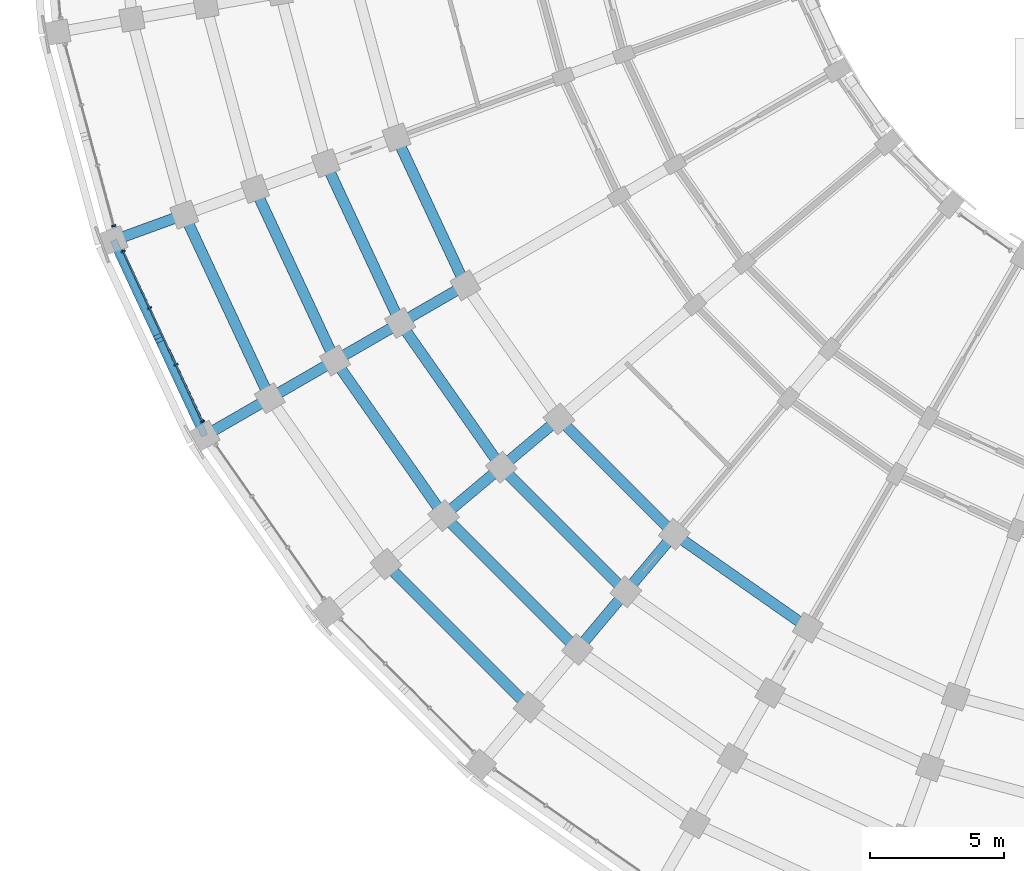
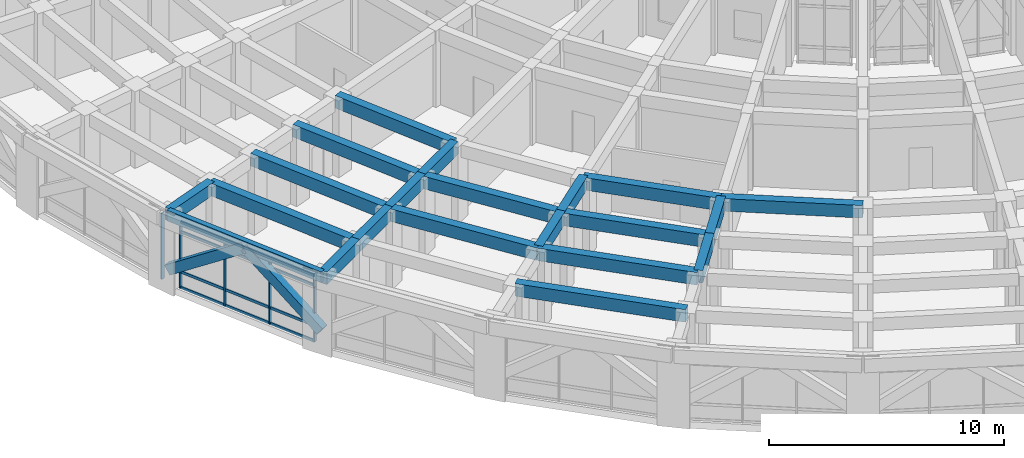
# One storey, part 6 of 97: 23 beams, 9 members, 2 elements without a shape of their own.
"""IFC4 building model written with IfcOpenShell, lengths in metres."""

from ifc_helpers import new_model, si_unit, direction, frame, origin, origin_2d, place, context, subcontext, project, spatial, rectangle, extrude, material, material_profile, profile_set, type_object, element, aggregate, save


model = new_model("IFC4")

# Units and contexts
model_context = context("Model", 3, precision=1e-05, world=origin(), true_north=direction((0.0, 1.0)))
body_context = subcontext(model_context, "Body", "Model", "MODEL_VIEW")
ifc_project = project(units=[si_unit("LENGTHUNIT", "METRE"), si_unit("AREAUNIT", "SQUARE_METRE"), si_unit("VOLUMEUNIT", "CUBIC_METRE"), si_unit("PLANEANGLEUNIT", "RADIAN"), si_unit("MASSUNIT", "GRAM", prefix="KILO")], contexts=[model_context])

# Site, building, storey
site_placement = place(None, origin())
site = spatial("IfcSite", under=ifc_project, at=site_placement, CompositionType="ELEMENT")
building_placement = place(site_placement, origin())
building = spatial("IfcBuilding", under=site, at=building_placement, Name="Kiranvali Square Residences", CompositionType="ELEMENT")
storey_placement = place(building_placement, frame((0.0, 0.0, 4.5)))
storey = spatial("IfcBuildingStorey", under=building, at=storey_placement, Name="L01", CompositionType="ELEMENT", Elevation=4.5)

# Beams
ifc_material_1 = material(Name="Concrete M40 (40 MPa)", Category="concrete")
ifc_material_profile_1 = material_profile(ifc_material_1, rectangle(XDim=0.35009765625, YDim=0.5, at=origin_2d()), Name="RC 350x500")
ifc_profile_set_1 = profile_set([ifc_material_profile_1], Name="Concrete M40 (40 MPa)")
beam_type_1 = type_object("IfcBeamType", Name="AR-M40-350x500", PredefinedType="USERDEFINED", material=ifc_profile_set_1)
beam_1_placement = place(storey_placement, frame((8.345947265625, 25.236328125, 0.89990234375), z_axis=(-0.347401853205, 0.744959817365, 0.56951455021), x_axis=(-0.906297821759, -0.422639631689, 0.0)))
element("IfcBeam", 1, at=beam_1_placement, inside=storey, type_object=beam_type_1, Name="Classical pointed Ottoman arch rib ARCH-C-CRV-7-06.1", ObjectType="ARCH RIB", PredefinedType="USERDEFINED", context=body_context, shape_type="SweptSolid", body=[
    extrude(rectangle(XDim=0.35009765625, YDim=0.5, at=origin_2d()), origin(), (0.0, 0.0, 1.0), 4.82861328125),
])
beam_2_placement = place(storey_placement, frame((6.66845703125, 28.83349609375, 3.64990234375), z_axis=(-0.347388768396, 0.744982317322, -0.56949309958), x_axis=(-0.906308808134, -0.422616071984, 0.0)))
element("IfcBeam", 2, at=beam_2_placement, inside=storey, type_object=beam_type_1, Name="Classical pointed Ottoman arch rib ARCH-C-CRV-7-06.2", ObjectType="ARCH RIB", PredefinedType="USERDEFINED", context=body_context, shape_type="SweptSolid", body=[
    extrude(rectangle(XDim=0.35009765625, YDim=0.5, at=origin_2d()), origin(), (0.0, 0.0, 1.0), 4.828857421875),
])
ifc_material_2 = material(Name="Concrete M45 (45 MPa)", Category="concrete")
ifc_material_profile_2 = material_profile(ifc_material_2, rectangle(XDim=0.39990234375, YDim=0.64990234375, at=origin_2d()), Name="RC 400x650")
ifc_profile_set_2 = profile_set([ifc_material_profile_2], Name="Concrete M45 (45 MPa)")
beam_type_2 = type_object("IfcBeamType", Name="BM-M45-400x650", PredefinedType="BEAM", material=ifc_profile_set_2)
beam_3_placement = place(storey_placement, frame((30.800048828125, 18.062255859375, 3.655029296875), z_axis=(-0.81913926159, 0.573594691504, 0.0), x_axis=(-0.573594691504, -0.81913926159, 0.0)))
element("IfcBeam", 3, at=beam_3_placement, inside=storey, type_object=beam_type_2, Name="L01 beam BM-C-L01-C03-R3", PredefinedType="BEAM", context=body_context, shape_type="SweptSolid", body=[
    extrude(rectangle(XDim=0.39990234375, YDim=0.64990234375, at=origin_2d()), origin(), (0.0, 0.0, 1.0), 6.066162109375),
])
beam_4_placement = place(storey_placement, frame((25.8310546875, 21.541748046875, 3.655029296875), z_axis=(-0.707106781187, 0.707106781187, 0.0), x_axis=(-0.707106781187, -0.707106781187, 0.0)))
element("IfcBeam", 4, at=beam_4_placement, inside=storey, type_object=beam_type_2, Name="L01 beam BM-C-L01-C04-R3", PredefinedType="BEAM", context=body_context, shape_type="SweptSolid", body=[
    extrude(rectangle(XDim=0.39990234375, YDim=0.64990234375, at=origin_2d()), origin(), (0.0, 0.0, 1.0), 6.06591796875),
])
beam_5_placement = place(storey_placement, frame((24.03125, 19.396728515625, 3.655029296875), z_axis=(-0.707106781187, 0.707106781187, 0.0), x_axis=(-0.707106781187, -0.707106781187, 0.0)))
element("IfcBeam", 5, at=beam_5_placement, inside=storey, type_object=beam_type_2, Name="L01 beam BM-C-L01-C04-R4", PredefinedType="BEAM", context=body_context, shape_type="SweptSolid", body=[
    extrude(rectangle(XDim=0.39990234375, YDim=0.64990234375, at=origin_2d()), origin(), (0.0, 0.0, 1.0), 6.55419921875),
])
beam_6_placement = place(storey_placement, frame((22.2314453125, 17.251708984375, 3.655029296875), z_axis=(-0.707106781187, 0.707106781187, 0.0), x_axis=(-0.707106781187, -0.707106781187, 0.0)))
element("IfcBeam", 6, at=beam_6_placement, inside=storey, type_object=beam_type_2, Name="L01 beam BM-C-L01-C04-R5", PredefinedType="BEAM", context=body_context, shape_type="SweptSolid", body=[
    extrude(rectangle(XDim=0.39990234375, YDim=0.64990234375, at=origin_2d()), origin(), (0.0, 0.0, 1.0), 7.04248046875),
])
beam_7_placement = place(storey_placement, frame((20.431640625, 15.10693359375, 3.655029296875), z_axis=(-0.707106781187, 0.707106781187, 0.0), x_axis=(-0.707106781187, -0.707106781187, 0.0)))
element("IfcBeam", 7, at=beam_7_placement, inside=storey, type_object=beam_type_2, Name="L01 beam BM-C-L01-C04-R6", PredefinedType="BEAM", context=body_context, shape_type="SweptSolid", body=[
    extrude(rectangle(XDim=0.39990234375, YDim=0.64990234375, at=origin_2d()), origin(), (0.0, 0.0, 1.0), 7.5302734375),
])
beam_8_placement = place(storey_placement, frame((19.396728515625, 24.03125, 3.655029296875), z_axis=(-0.573587340268, 0.819144409176, 0.0), x_axis=(-0.819144409176, -0.573587340268, 0.0)))
element("IfcBeam", 8, at=beam_8_placement, inside=storey, type_object=beam_type_2, Name="L01 beam BM-C-L01-C05-R4", PredefinedType="BEAM", context=body_context, shape_type="SweptSolid", body=[
    extrude(rectangle(XDim=0.39990234375, YDim=0.64990234375, at=origin_2d()), origin(), (0.0, 0.0, 1.0), 6.553955078125),
])
beam_9_placement = place(storey_placement, frame((17.251708984375, 22.2314453125, 3.655029296875), z_axis=(-0.57356471828, 0.819160249246, 0.0), x_axis=(-0.819160249246, -0.57356471828, 0.0)))
element("IfcBeam", 9, at=beam_9_placement, inside=storey, type_object=beam_type_2, Name="L01 beam BM-C-L01-C05-R5", PredefinedType="BEAM", context=body_context, shape_type="SweptSolid", body=[
    extrude(rectangle(XDim=0.39990234375, YDim=0.64990234375, at=origin_2d()), origin(), (0.0, 0.0, 1.0), 7.0419921875),
])
beam_10_placement = place(storey_placement, frame((18.062255859375, 30.800048828125, 3.655029296875), z_axis=(-0.42260781991, 0.906312656069, 0.0), x_axis=(-0.906312656069, -0.42260781991, 0.0)))
element("IfcBeam", 10, at=beam_10_placement, inside=storey, type_object=beam_type_2, Name="L01 beam BM-C-L01-C06-R3", PredefinedType="BEAM", context=body_context, shape_type="SweptSolid", body=[
    extrude(rectangle(XDim=0.39990234375, YDim=0.64990234375, at=origin_2d()), origin(), (0.0, 0.0, 1.0), 6.06591796875),
])
beam_11_placement = place(storey_placement, frame((15.637451171875, 29.39990234375, 3.655029296875), z_axis=(-0.422595876255, 0.906318225223, 0.0), x_axis=(-0.906318225223, -0.422595876255, 0.0)))
element("IfcBeam", 11, at=beam_11_placement, inside=storey, type_object=beam_type_2, Name="L01 beam BM-C-L01-C06-R4", PredefinedType="BEAM", context=body_context, shape_type="SweptSolid", body=[
    extrude(rectangle(XDim=0.39990234375, YDim=0.64990234375, at=origin_2d()), origin(), (0.0, 0.0, 1.0), 6.55419921875),
])
beam_12_placement = place(storey_placement, frame((13.212646484375, 28.0, 3.655029296875), z_axis=(-0.422640621205, 0.906297360311, 0.0), x_axis=(-0.906297360311, -0.422640621205, 0.0)))
element("IfcBeam", 12, at=beam_12_placement, inside=storey, type_object=beam_type_2, Name="L01 beam BM-C-L01-C06-R5", PredefinedType="BEAM", context=body_context, shape_type="SweptSolid", body=[
    extrude(rectangle(XDim=0.39990234375, YDim=0.64990234375, at=origin_2d()), origin(), (0.0, 0.0, 1.0), 7.042236328125),
])
beam_13_placement = place(storey_placement, frame((10.78759765625, 26.60009765625, 3.655029296875), z_axis=(-0.422613886933, 0.90630982703, 0.0), x_axis=(-0.90630982703, -0.422613886933, 0.0)))
element("IfcBeam", 13, at=beam_13_placement, inside=storey, type_object=beam_type_2, Name="L01 beam BM-C-L01-C06-R6", PredefinedType="BEAM", context=body_context, shape_type="SweptSolid", body=[
    extrude(rectangle(XDim=0.39990234375, YDim=0.64990234375, at=origin_2d()), origin(), (0.0, 0.0, 1.0), 7.5302734375),
])
for number, where, z_axis, x_axis, name in (
    (14, (25.8310546875, 21.541748046875, 3.655029296875), (-0.642770757628, -0.766058583359, 0.0), (0.766058583359, -0.642770757628, 0.0), "L01 beam BM-C-L01-RAD04-34"),
    (15, (24.03125, 19.396728515625, 3.655029296875), (-0.642770757628, -0.766058583359, 0.0), (0.766058583359, -0.642770757628, 0.0), "L01 beam BM-C-L01-RAD04-45"),
    (16, (21.541748046875, 25.8310546875, 3.655029296875), (-0.766058583359, -0.642770757628, 0.0), (0.642770757628, -0.766058583359, 0.0), "L01 beam BM-C-L01-RAD05-34"),
    (17, (19.396728515625, 24.03125, 3.655029296875), (-0.766058583359, -0.642770757628, 0.0), (0.642770757628, -0.766058583359, 0.0), "L01 beam BM-C-L01-RAD05-45"),
    (18, (18.062255859375, 30.800048828125, 3.655029296875), (-0.865996816683, -0.500049511043, 0.0), (0.500049511043, -0.865996816683, 0.0), "L01 beam BM-C-L01-RAD06-34"),
):
    element("IfcBeam", number, at=place(storey_placement, frame(where, z_axis=z_axis, x_axis=x_axis)), inside=storey, type_object=beam_type_2, Name=name, PredefinedType="BEAM", context=body_context, shape_type="SweptSolid", body=[
        extrude(rectangle(XDim=0.39990234375, YDim=0.64990234375, at=origin_2d()), origin(), (0.0, 0.0, 1.0), 2.800048828125),
    ])
beam_14_placement = place(storey_placement, frame((15.637451171875, 29.39990234375, 3.655029296875), z_axis=(-0.866034573852, -0.49998411664, 0.0), x_axis=(0.49998411664, -0.866034573852, 0.0)))
element("IfcBeam", 19, at=beam_14_placement, inside=storey, type_object=beam_type_2, Name="L01 beam BM-C-L01-RAD06-45", PredefinedType="BEAM", context=body_context, shape_type="SweptSolid", body=[
    extrude(rectangle(XDim=0.39990234375, YDim=0.64990234375, at=origin_2d()), origin(), (0.0, 0.0, 1.0), 2.7998046875),
])
for number, where, z_axis, x_axis, name in (
    (20, (13.212646484375, 28.0, 3.655029296875), (-0.866056369097, -0.49994636267, 0.0), (0.49994636267, -0.866056369097, 0.0), "L01 beam BM-C-L01-RAD06-56"),
    (21, (10.78759765625, 26.60009765625, 3.655029296875), (-0.865996816683, -0.500049511043, 0.0), (0.500049511043, -0.865996816683, 0.0), "L01 beam BM-C-L01-RAD06-67"),
    (22, (7.605224609375, 33.4248046875, 3.655029296875), (-0.939678810556, -0.342058084236, 0.0), (0.342058084236, -0.939678810556, 0.0), "L01 beam BM-C-L01-RAD07-67"),
):
    element("IfcBeam", number, at=place(storey_placement, frame(where, z_axis=z_axis, x_axis=x_axis)), inside=storey, type_object=beam_type_2, Name=name, PredefinedType="BEAM", context=body_context, shape_type="SweptSolid", body=[
        extrude(rectangle(XDim=0.39990234375, YDim=0.64990234375, at=origin_2d()), origin(), (0.0, 0.0, 1.0), 2.800048828125),
    ])

# Curtain wall, members
ifc_material_3 = material(Name="Anodised bronze aluminium framing", Category="aluminium")
curtain_wall_type = type_object("IfcCurtainWallType", Name="CW-RET-SHOP", PredefinedType="USERDEFINED", material=ifc_material_3)
curtain_wall_1_placement = place(storey_placement, origin())
curtain_wall_1 = element("IfcCurtainWall", 23, at=curtain_wall_1_placement, inside=storey, type_object=curtain_wall_type, Name="Block C L01 rounded-corner arcade curtain wall 7", ObjectType="CURTAIN WALL", PredefinedType="USERDEFINED")
ifc_material_profile_3 = material_profile(ifc_material_3, rectangle(XDim=0.06494140625, YDim=0.159912109375, at=origin_2d()), Name="ALU 65x160")
ifc_profile_set_3 = profile_set([ifc_material_profile_3], Name="Anodised bronze aluminium framing")
member_type_1 = type_object("IfcMemberType", Name="CW-MUL-160", PredefinedType="MULLION", material=ifc_profile_set_3)
member_1_placement = place(storey_placement, frame((8.279052734375, 25.734619140625, 0.02001953125), z_axis=(0.0, 0.0, 1.0), x_axis=(-0.422618261741, 0.906307787037, 0.0)))
member_1 = element("IfcMember", 24, at=member_1_placement, type_object=member_type_1, Name="CW-C-L01-CRV-06 vertical mullion 1", PredefinedType="MULLION", context=body_context, shape_type="SweptSolid", body=[
    extrude(rectangle(XDim=0.06494140625, YDim=0.159912109375, at=origin_2d()), origin(), (0.0, 0.0, 1.0), 3.43994140625),
])
member_2_placement = place(storey_placement, frame((7.2958984375, 27.8427734375, 0.02001953125), z_axis=(0.0, 0.0, 1.0), x_axis=(-0.422618261741, 0.906307787037, 0.0)))
member_2 = element("IfcMember", 25, at=member_2_placement, type_object=member_type_1, Name="CW-C-L01-CRV-06 vertical mullion 2", PredefinedType="MULLION", context=body_context, shape_type="SweptSolid", body=[
    extrude(rectangle(XDim=0.06494140625, YDim=0.159912109375, at=origin_2d()), origin(), (0.0, 0.0, 1.0), 3.43994140625),
])
member_3_placement = place(storey_placement, frame((6.31298828125, 29.950927734375, 0.02001953125), z_axis=(0.0, 0.0, 1.0), x_axis=(-0.422618261741, 0.906307787037, 0.0)))
member_3 = element("IfcMember", 26, at=member_3_placement, type_object=member_type_1, Name="CW-C-L01-CRV-06 vertical mullion 3", PredefinedType="MULLION", context=body_context, shape_type="SweptSolid", body=[
    extrude(rectangle(XDim=0.06494140625, YDim=0.159912109375, at=origin_2d()), origin(), (0.0, 0.0, 1.0), 3.43994140625),
])
member_4_placement = place(storey_placement, frame((5.329833984375, 32.05908203125, 0.02001953125), z_axis=(0.0, 0.0, 1.0), x_axis=(-0.422618261741, 0.906307787037, 0.0)))
member_4 = element("IfcMember", 27, at=member_4_placement, type_object=member_type_1, Name="CW-C-L01-CRV-06 vertical mullion 4", PredefinedType="MULLION", context=body_context, shape_type="SweptSolid", body=[
    extrude(rectangle(XDim=0.06494140625, YDim=0.159912109375, at=origin_2d()), origin(), (0.0, 0.0, 1.0), 3.43994140625),
])

# Curtain wall, member
curtain_wall_2_placement = place(storey_placement, origin())
curtain_wall_2 = element("IfcCurtainWall", 28, at=curtain_wall_2_placement, inside=storey, type_object=curtain_wall_type, Name="Block C L01 rounded-corner arcade curtain wall 8", ObjectType="CURTAIN WALL", PredefinedType="USERDEFINED")
member_5_placement = place(storey_placement, frame((4.984375, 33.00830078125, 0.02001953125), z_axis=(0.0, 0.0, 1.0), x_axis=(-0.258819045103, 0.965925826289, 0.0)))
member_5 = element("IfcMember", 29, at=member_5_placement, type_object=member_type_1, Name="CW-C-L01-CRV-07 vertical mullion 1", PredefinedType="MULLION", context=body_context, shape_type="SweptSolid", body=[
    extrude(rectangle(XDim=0.06494140625, YDim=0.159912109375, at=origin_2d()), origin(), (0.0, 0.0, 1.0), 3.43994140625),
])
aggregate(curtain_wall_2, [member_5])

# Member
ifc_material_profile_4 = material_profile(ifc_material_3, rectangle(XDim=0.06494140625, YDim=0.139892578125, at=origin_2d()), Name="ALU 65x140")
ifc_profile_set_4 = profile_set([ifc_material_profile_4], Name="Anodised bronze aluminium framing")
member_type_2 = type_object("IfcMemberType", Name="CW-TRN-140", PredefinedType="MULLION", material=ifc_profile_set_4)
member_6_placement = place(storey_placement, frame((8.27490234375, 25.74365234375, 0.0400390625), z_axis=(-0.422641515237, 0.90629694339, 0.0), x_axis=(-0.90629694339, -0.422641515237, 0.0)))
member_6 = element("IfcMember", 30, at=member_6_placement, type_object=member_type_2, Name="CW-C-L01-CRV-06 horizontal transom 1", PredefinedType="MULLION", context=body_context, shape_type="SweptSolid", body=[
    extrude(rectangle(XDim=0.06494140625, YDim=0.139892578125, at=origin_2d()), origin(), (0.0, 0.0, 1.0), 6.95849609375),
])

member_7_placement = place(storey_placement, frame((8.27490234375, 25.74365234375, 0.85009765625), z_axis=(-0.422641515237, 0.90629694339, 0.0), x_axis=(-0.90629694339, -0.422641515237, 0.0)))
member_7 = element("IfcMember", 31, at=member_7_placement, type_object=member_type_2, Name="CW-C-L01-CRV-06 horizontal transom 2", PredefinedType="MULLION", context=body_context, shape_type="SweptSolid", body=[
    extrude(rectangle(XDim=0.06494140625, YDim=0.139892578125, at=origin_2d()), origin(), (0.0, 0.0, 1.0), 6.95849609375),
])

member_8_placement = place(storey_placement, frame((8.27490234375, 25.74365234375, 2.929931640625), z_axis=(-0.422641515237, 0.90629694339, 0.0), x_axis=(-0.90629694339, -0.422641515237, 0.0)))
member_8 = element("IfcMember", 32, at=member_8_placement, type_object=member_type_2, Name="CW-C-L01-CRV-06 horizontal transom 3", PredefinedType="MULLION", context=body_context, shape_type="SweptSolid", body=[
    extrude(rectangle(XDim=0.06494140625, YDim=0.139892578125, at=origin_2d()), origin(), (0.0, 0.0, 1.0), 6.95849609375),
])

member_9_placement = place(storey_placement, frame((8.27490234375, 25.74365234375, 3.43994140625), z_axis=(-0.422641515237, 0.90629694339, 0.0), x_axis=(-0.90629694339, -0.422641515237, 0.0)))
member_9 = element("IfcMember", 33, at=member_9_placement, type_object=member_type_2, Name="CW-C-L01-CRV-06 horizontal transom 4", PredefinedType="MULLION", context=body_context, shape_type="SweptSolid", body=[
    extrude(rectangle(XDim=0.06494140625, YDim=0.139892578125, at=origin_2d()), origin(), (0.0, 0.0, 1.0), 6.95849609375),
])

aggregate(curtain_wall_1, [member_1, member_2, member_3, member_4, member_6, member_7, member_8, member_9])

# Beam
ifc_material_profile_5 = material_profile(ifc_material_1, rectangle(XDim=0.25, YDim=0.550048828125, at=origin_2d()), Name="RC 250x550")
ifc_profile_set_5 = profile_set([ifc_material_profile_5], Name="Concrete M40 (40 MPa)")
beam_type_3 = type_object("IfcBeamType", Name="SPN-M40-250x550", PredefinedType="SPANDREL", material=ifc_profile_set_5)
beam_15_placement = place(storey_placement, frame((8.36279296875, 25.199951171875, 3.705078125), z_axis=(-0.422615416827, 0.906309113636, 0.0), x_axis=(-0.906309113636, -0.422615416827, 0.0)))
element("IfcBeam", 34, at=beam_15_placement, inside=storey, type_object=beam_type_3, Name="L01 beam BM-C-L01-C06-R7", PredefinedType="SPANDREL", context=body_context, shape_type="SweptSolid", body=[
    extrude(rectangle(XDim=0.25, YDim=0.550048828125, at=origin_2d()), origin(), (0.0, 0.0, 1.0), 8.018310546875),
])

save(model, "model.ifc")
